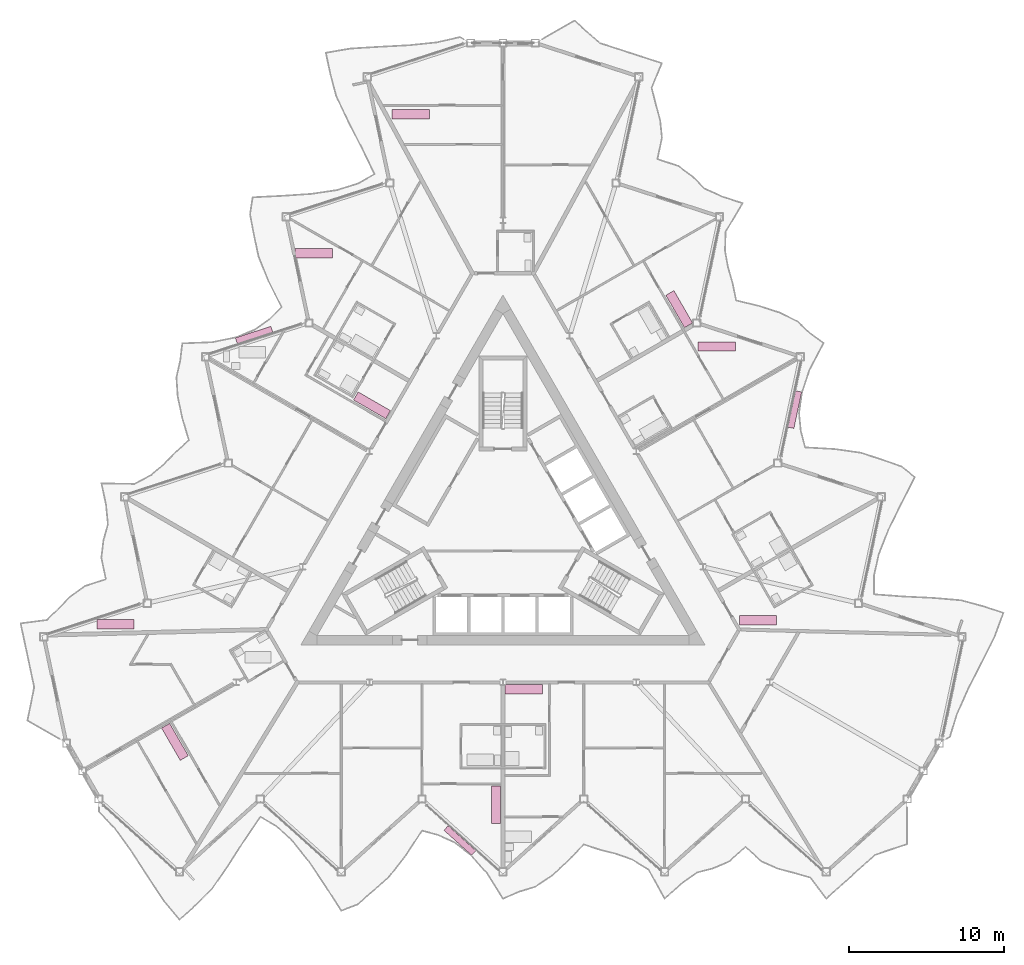
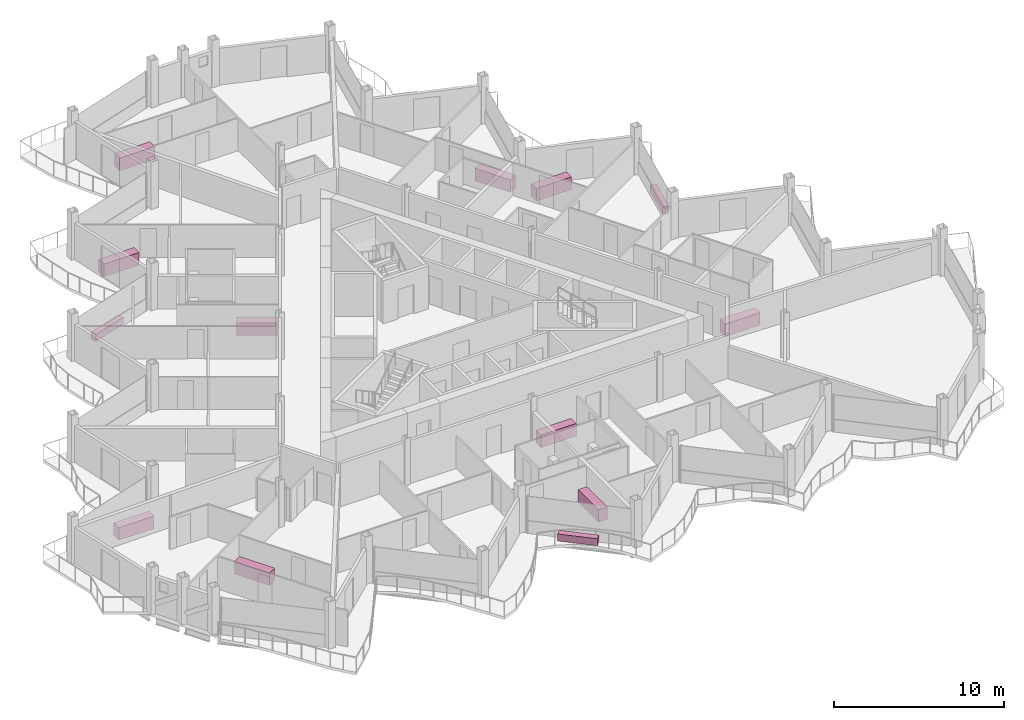
# One storey, part 26 of 26: 13 furniture elements.
"""IFC4 building model written with IfcOpenShell, lengths in metres."""

from ifc_helpers import new_model, si_unit, direction, frame, origin, origin_2d, place, context, subcontext, project, spatial, rectangle, extrude, material, type_object, element, save


model = new_model("IFC4")

# Units and contexts
model_context = context("Model", 3, precision=1e-05, world=origin(), true_north=direction((0.0, 1.0)))
body_context = subcontext(model_context, "Body", "Model", "MODEL_VIEW")
ifc_project = project(units=[si_unit("LENGTHUNIT", "METRE"), si_unit("AREAUNIT", "SQUARE_METRE"), si_unit("VOLUMEUNIT", "CUBIC_METRE"), si_unit("PLANEANGLEUNIT", "RADIAN"), si_unit("MASSUNIT", "GRAM", prefix="KILO")], contexts=[model_context])

# Site, building, storey
site_placement = place(None, origin())
site = spatial("IfcSite", under=ifc_project, at=site_placement, CompositionType="ELEMENT")
building_placement = place(site_placement, origin())
building = spatial("IfcBuilding", under=site, at=building_placement, Name="Cormorant Prow Tower", CompositionType="ELEMENT")
storey_placement = place(building_placement, frame((0.0, 0.0, 401.800048828125)))
storey = spatial("IfcBuildingStorey", under=building, at=storey_placement, Name="L92", CompositionType="ELEMENT", Elevation=401.800048828125)

# Furniture
ifc_material_1 = material(Name="Terracotta", Category="masonry")
furniture_type_1 = type_object("IfcFurnitureType", Name="Balcony planter 2400x400x500", AssemblyPlace="NOTDEFINED", PredefinedType="USERDEFINED", material=ifc_material_1)
for number, where, z_axis, x_axis, name in (
    (1, (-2.767333984375, -20.07568359375, 0.0), (0.0, 0.0, 1.0), (0.743144827638, -0.669130603959, 0.0), "Balcony planter S04"),
    (2, (18.769775390625, 7.641357421875, 0.0), (0.0, 0.0, 1.0), (0.207911649162, 0.978147609588, 0.0), "Balcony planter ENE04"),
    (3, (-16.00244140625, 12.434326171875, 0.0), (0.0, 0.0, 1.0), (-0.951056492904, -0.309017066365, 0.0), "Balcony planter WNW04"),
):
    element("IfcFurniture", number, at=place(storey_placement, frame(where, z_axis=z_axis, x_axis=x_axis)), inside=storey, type_object=furniture_type_1, Name=name, ObjectType="PLANTER", PredefinedType="USERDEFINED", context=body_context, shape_type="SweptSolid", body=[
        extrude(rectangle(XDim=2.39990234375, YDim=0.39990234375, at=origin_2d()), origin(), (0.0, 0.0, 1.0), 0.5),
    ])
ifc_material_2 = material(Name="Timber joinery", Category="wood")
furniture_type_2 = type_object("IfcFurnitureType", Name="Kitchen counter 2400x600", AssemblyPlace="NOTDEFINED", PredefinedType="NOTDEFINED", material=ifc_material_2)
for number, where, z_axis, x_axis, name in (
    (4, (-0.445068359375, -17.7734375, 0.0), (0.0, 0.0, 1.0), (0.0, -1.0, 0.0), "Kitchen counter"),
    (5, (1.344970703125, -10.3505859375, 0.0), (0.0, 0.0, 1.0), (1.0, 0.0, 0.0), "Kitchen counter"),
    (6, (16.408203125, -5.907958984375, 0.0), (0.0, 0.0, 1.0), (1.0, 0.0, 0.0), "Kitchen counter"),
    (7, (13.757080078125, 11.694091796875, 0.0), (0.0, 0.0, 1.0), (1.0, 0.0, 0.0), "Kitchen counter"),
    (8, (11.34033203125, 14.104736328125, 0.0), (0.0, 0.0, 1.0), (-0.5, 0.866025403784, 0.0), "Kitchen counter"),
    (9, (-5.927490234375, 26.636962890625, 0.0), (0.0, 0.0, 1.0), (1.0, 0.0, 0.0), "Kitchen counter"),
    (10, (-12.165283203125, 17.697265625, 0.0), (0.0, 0.0, 1.0), (1.0, 0.0, 0.0), "Kitchen counter"),
    (11, (-8.4208984375, 7.916015625, 0.0), (0.0, 0.0, 1.0), (-0.866025403784, 0.5, 0.0), "Kitchen counter"),
    (12, (-24.914794921875, -6.157958984375, 0.0), (0.0, 0.0, 1.0), (1.0, 0.0, 0.0), "Kitchen counter"),
    (13, (-21.0966796875, -13.7333984375, 0.0), (0.0, 0.0, 1.0), (0.5, -0.866025403784, 0.0), "Kitchen counter"),
):
    element("IfcFurniture", number, at=place(storey_placement, frame(where, z_axis=z_axis, x_axis=x_axis)), inside=storey, type_object=furniture_type_2, Name=name, PredefinedType="NOTDEFINED", context=body_context, shape_type="SweptSolid", body=[
        extrude(rectangle(XDim=2.39990234375, YDim=0.60009765625, at=origin_2d()), origin(), (0.0, 0.0, 1.0), 0.89990234375),
    ])

save(model, "model.ifc")
